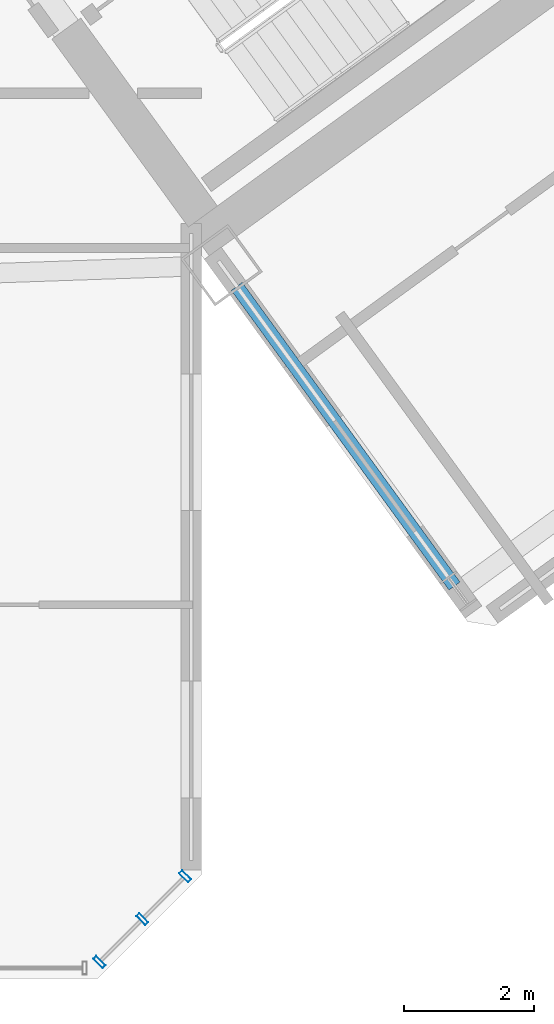
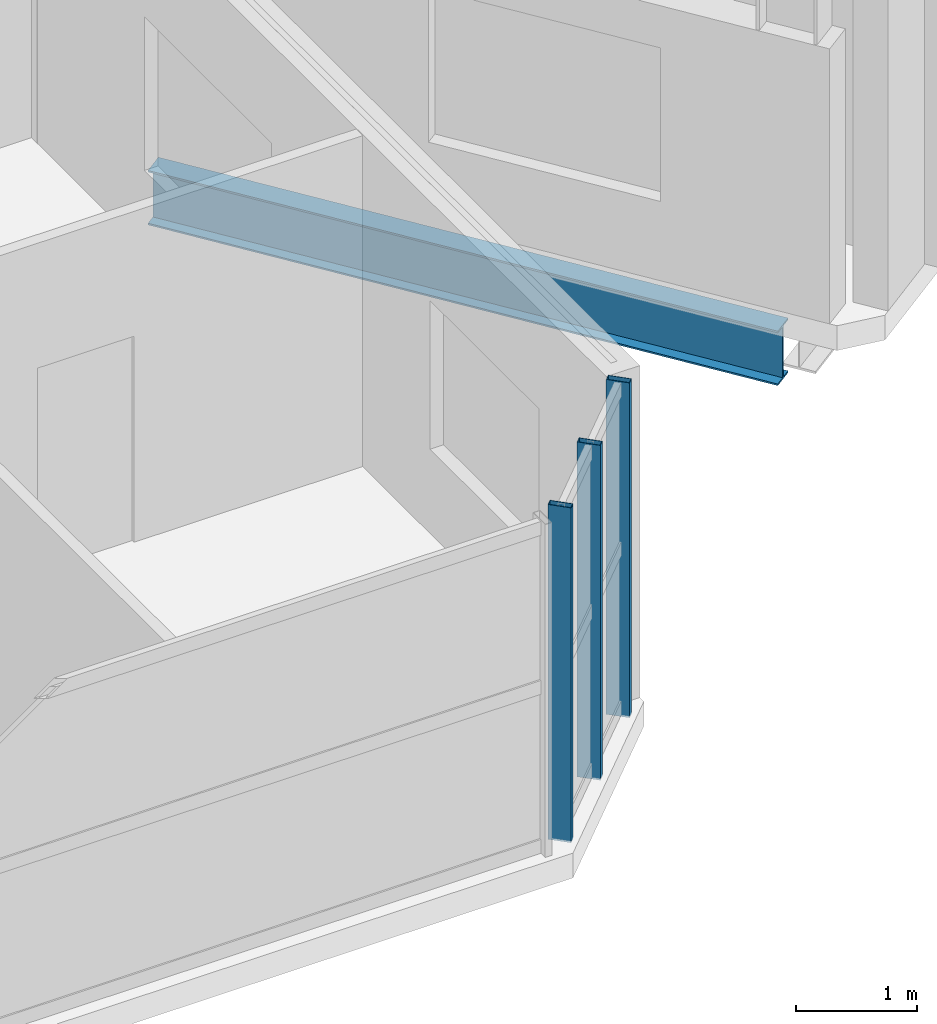
# One storey, part 10 of 29: 3 members, 1 beam, 1 element without a shape of its own.
"""IFC4 building model written with IfcOpenShell, lengths in metres."""

from ifc_helpers import new_model, si_unit, direction, frame, origin, origin_2d, place, context, subcontext, project, spatial, hollow_rectangle, i_section, extrude, source, transform, mapped, material, material_profile, profile_set, type_object, element, aggregate, save


model = new_model("IFC4")

# Units and contexts
model_context = context("Model", 3, precision=1e-05, world=origin(), true_north=direction((0.0, 1.0)))
body_context = subcontext(model_context, "Body", "Model", "MODEL_VIEW")
ifc_project = project(units=[si_unit("LENGTHUNIT", "METRE"), si_unit("AREAUNIT", "SQUARE_METRE"), si_unit("VOLUMEUNIT", "CUBIC_METRE"), si_unit("PLANEANGLEUNIT", "RADIAN"), si_unit("MASSUNIT", "GRAM", prefix="KILO")], contexts=[model_context])

# Site, building, storey
site_placement = place(None, origin())
site = spatial("IfcSite", under=ifc_project, at=site_placement, CompositionType="ELEMENT")
building_placement = place(site_placement, origin())
building = spatial("IfcBuilding", under=site, at=building_placement, Name="Tlacorven Tower", CompositionType="ELEMENT")
storey_placement = place(building_placement, frame((0.0, 0.0, 158.699951171875)))
storey = spatial("IfcBuildingStorey", under=building, at=storey_placement, Name="L40", CompositionType="ELEMENT", Elevation=158.699951171875)

# Beam
ifc_material_1 = material(Name="Steel S355J2", Category="steel")
ifc_material_profile_1 = material_profile(ifc_material_1, i_section(OverallWidth=0.2099609375, OverallDepth=0.550048828125, WebThickness=0.010986328125, FlangeThickness=0.01708984375, at=origin_2d()), Name="IPE 550")
ifc_profile_set_1 = profile_set([ifc_material_profile_1], Name="Steel S355J2")
beam_type = type_object("IfcBeamType", Name="BM-TWR-550", PredefinedType="BEAM", material=ifc_profile_set_1)
shared_shape_1 = source(origin(), body_context, "Body", "SweptSolid", [
    extrude(i_section(OverallWidth=0.2099609375, OverallDepth=0.550048828125, WebThickness=0.010986328125, FlangeThickness=0.01708984375, at=origin_2d()), origin(), (0.0, 0.0, 1.0), 5.699951171875),
])
beam_placement = place(storey_placement, frame((56.291015625, 7.83837890625, -0.52490234375), z_axis=(-0.587815099892, 0.808995307983, 0.0), x_axis=(-0.808995307983, -0.587815099892, 0.0)))
element("IfcBeam", 1, at=beam_placement, inside=storey, type_object=beam_type, Name="L40 beam BM-L40-ET1-1", PredefinedType="BEAM", context=body_context, shape_type="MappedRepresentation", body=[
    mapped(shared_shape_1, transform((0.0, 0.0, 0.0), scale=1.0)),
])

# Curtain wall, members
ifc_material_2 = material(Name="Dark solar low-E double glazing in aluminium frame", Category="aluminium")
curtain_wall_type = type_object("IfcCurtainWallType", Name="CW-TWR-MID", PredefinedType="USERDEFINED", material=ifc_material_2)
curtain_wall_placement = place(storey_placement, origin())
curtain_wall = element("IfcCurtainWall", 2, at=curtain_wall_placement, inside=storey, type_object=curtain_wall_type, Name="L40 CW-TWR-MID Curtain Wall 178", ObjectType="UNITISED CURTAIN WALL", PredefinedType="USERDEFINED")
ifc_material_3 = material(Name="Aluminium 6063-T6 anodised", Category="aluminium")
ifc_material_profile_2 = material_profile(ifc_material_3, hollow_rectangle(XDim=0.06494140625, YDim=0.199951171875, WallThickness=0.00439453125, at=origin_2d()), Name="ALU MULLION 65X200")
ifc_profile_set_2 = profile_set([ifc_material_profile_2], Name="Aluminium 6063-T6 anodised")
member_type = type_object("IfcMemberType", Name="CWM-02", PredefinedType="MULLION", material=ifc_profile_set_2)
shared_shape_2 = source(origin(), body_context, "Body", "SweptSolid", [
    extrude(hollow_rectangle(XDim=0.06494140625, YDim=0.199951171875, WallThickness=0.00439453125, at=origin_2d()), origin(), (0.0, 0.0, 1.0), 3.380126953125),
])
member_1_placement = place(storey_placement, frame((52.146240234375, 3.37255859375, -0.02001953125), z_axis=(0.0, 0.0, 1.0), x_axis=(-0.707106781187, -0.707106781187, 0.0)))
member_1 = element("IfcMember", 3, at=member_1_placement, type_object=member_type, Name="CW-L40-178 Mullion 1", PredefinedType="MULLION", context=body_context, shape_type="MappedRepresentation", body=[
    mapped(shared_shape_2, transform((0.0, 0.0, 0.0), scale=1.0)),
])
member_2_placement = place(storey_placement, frame((51.48681640625, 2.713134765625, -0.02001953125), z_axis=(0.0, 0.0, 1.0), x_axis=(-0.707106781187, -0.707106781187, 0.0)))
member_2 = element("IfcMember", 4, at=member_2_placement, type_object=member_type, Name="CW-L40-178 Mullion 2", PredefinedType="MULLION", context=body_context, shape_type="MappedRepresentation", body=[
    mapped(shared_shape_2, transform((0.0, 0.0, 0.0), scale=1.0)),
])
member_3_placement = place(storey_placement, frame((50.827392578125, 2.0537109375, -0.02001953125), z_axis=(0.0, 0.0, 1.0), x_axis=(-0.707106781187, -0.707106781187, 0.0)))
member_3 = element("IfcMember", 5, at=member_3_placement, type_object=member_type, Name="CW-L40-178 Mullion 3", PredefinedType="MULLION", context=body_context, shape_type="MappedRepresentation", body=[
    mapped(shared_shape_2, transform((0.0, 0.0, 0.0), scale=1.0)),
])
aggregate(curtain_wall, [member_1, member_2, member_3])

save(model, "model.ifc")
